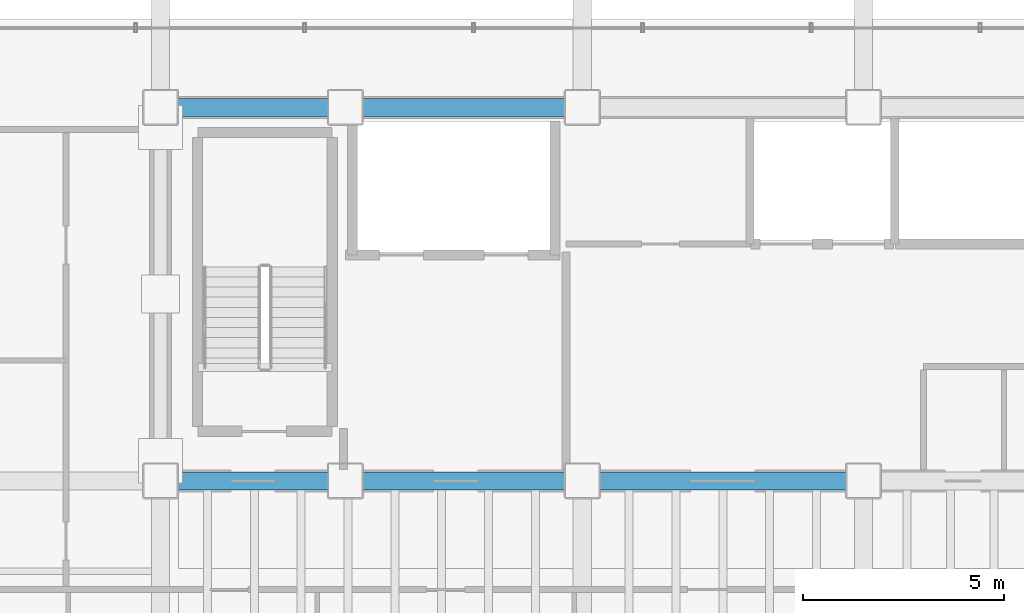
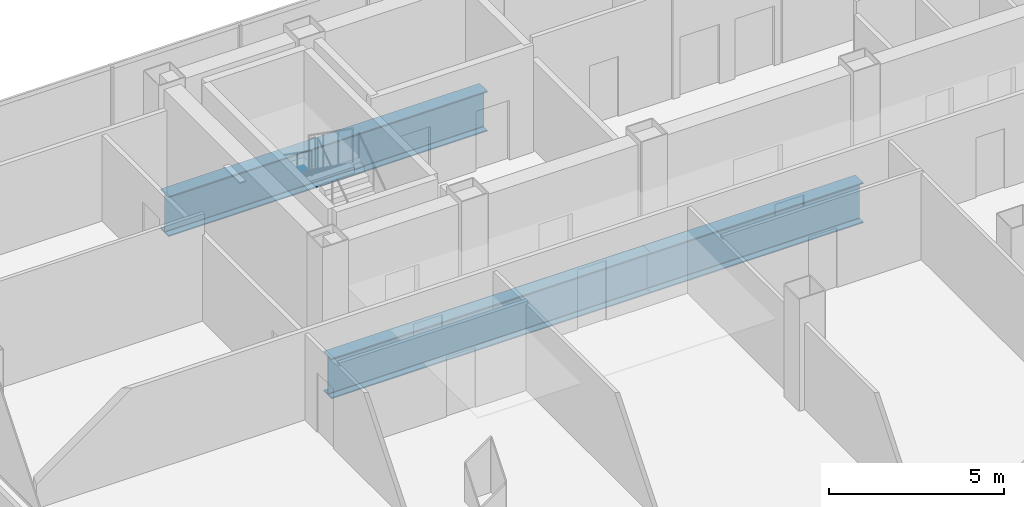
# One storey, part 10 of 24: 3 beams.
"""IFC4 building model written with IfcOpenShell, lengths in metres."""

import ifcopenshell
import ifcopenshell.guid

model = None  # the IFC model being written
_history = None  # IfcOwnerHistory: only IFC2X3 demands one
_inside = {}  # id of a spatial element -> (the spatial element, [elements in it])
_under = {}  # id of a project, library or spatial element -> (it, [spatial elements below it])
_declared = {}  # id of a project -> (the project, [libraries it declares])
_typed = {}  # id of a type object -> (the type object, [elements of that type])
_made_of = {}  # id of a material, layer set ... -> (it, [elements and type objects made of it])


def new_model(schema):
    """Start an empty IFC model of exactly this schema.

    Asked for "IFC4X3", IfcOpenShell would pick the latest addendum, in which some entities
    have other attributes; the version numbers below select the first issue.
    IFC2X3 requires an IfcOwnerHistory on every rooted entity: one is made here for all.
    """
    global model, _history
    if schema == "IFC4X3":
        model = ifcopenshell.file(schema_version=(4, 3, 0, 0))
    else:
        model = ifcopenshell.file(schema=schema)
    _inside.clear()
    _under.clear()
    _declared.clear()
    _typed.clear()
    _made_of.clear()
    _history = None
    if model.schema == "IFC2X3":
        org = make("IfcOrganization", Name="unknown")
        user = make(
            "IfcPersonAndOrganization",
            ThePerson=make("IfcPerson", FamilyName="unknown"),
            TheOrganization=org,
        )
        app = make(
            "IfcApplication",
            ApplicationDeveloper=org,
            Version="unknown",
            ApplicationFullName="unknown",
            ApplicationIdentifier="unknown",
        )
        _history = make(
            "IfcOwnerHistory",
            OwningUser=user,
            OwningApplication=app,
            ChangeAction="ADDED",
            CreationDate=0,
        )
    return model


def make(cls, **values):
    """One entity of the class cls with the attributes given. An attribute that is None is left unset."""
    return model.create_entity(
        cls, **{name: value for name, value in values.items() if value is not None}
    )


def rooted(cls, **values):
    """An entity with a GlobalId (a new one), such as an element, a storey or a relation."""
    return make(cls, GlobalId=ifcopenshell.guid.new(), OwnerHistory=_history, **values)


def si_unit(unit_type, name, prefix=None):
    """IfcSIUnit, for example si_unit("LENGTHUNIT", "METRE", prefix="MILLI")."""
    return make("IfcSIUnit", UnitType=unit_type, Prefix=prefix, Name=name)


def assignment(units):
    """IfcUnitAssignment: the units of a project."""
    return None if units is None else make("IfcUnitAssignment", Units=units)


def point(xyz):
    """IfcCartesianPoint."""
    return None if xyz is None else make("IfcCartesianPoint", Coordinates=xyz)


def direction(xyz):
    """IfcDirection."""
    return None if xyz is None else make("IfcDirection", DirectionRatios=xyz)


def frame(location, z_axis=None, x_axis=None):
    """IfcAxis2Placement3D, a coordinate frame: its origin and axes. An axis left out is left unset."""
    return make(
        "IfcAxis2Placement3D",
        Location=point(location),
        Axis=direction(z_axis),
        RefDirection=direction(x_axis),
    )


def frame_2d(location, x_axis=None):
    """IfcAxis2Placement2D, a coordinate frame in the plane: its origin and x axis."""
    return make(
        "IfcAxis2Placement2D", Location=point(location), RefDirection=direction(x_axis)
    )


def origin():
    """The frame at (0, 0, 0) with its axes left unset."""
    return frame((0.0, 0.0, 0.0))


def origin_2d():
    """The frame at (0, 0) in the plane with its x axis left unset."""
    return frame_2d((0.0, 0.0))


def place(relative_to, where):
    """IfcLocalPlacement: puts the frame where relative to a parent placement (None: the world)."""
    return make(
        "IfcLocalPlacement", PlacementRelTo=relative_to, RelativePlacement=where
    )


def context(
    kind, dimensions, precision=None, world=None, true_north=None, identifier=None
):
    """IfcGeometricRepresentationContext, for example the 3D "Model" context."""
    return make(
        "IfcGeometricRepresentationContext",
        ContextIdentifier=identifier,
        ContextType=kind,
        CoordinateSpaceDimension=dimensions,
        Precision=precision,
        WorldCoordinateSystem=world,
        TrueNorth=true_north,
    )


def subcontext(parent, identifier, kind, view, scale=None):
    """IfcGeometricRepresentationSubContext, for example "Body" below "Model"."""
    return make(
        "IfcGeometricRepresentationSubContext",
        ContextIdentifier=identifier,
        ContextType=kind,
        ParentContext=parent,
        TargetScale=scale,
        TargetView=view,
    )


def project(units=None, contexts=None):
    """IfcProject with its units and contexts."""
    return rooted(
        "IfcProject",
        Name="project",
        RepresentationContexts=contexts,
        UnitsInContext=assignment(units),
    )


def spatial(cls, under=None, at=None, **own):
    """A site, building, storey or space (cls), placed at a placement, below another one or the project."""
    s = rooted(cls, ObjectPlacement=at, **own)
    if under is not None:
        _under.setdefault(under.id(), (under, []))[1].append(s)
    return s


def profile(cls, at=None, kind="AREA", **sizes):
    """A parametric profile (cls). Its sizes go by their IFC names, for example OverallWidth=200.0."""
    return make(cls, ProfileType=kind, Position=at, **sizes)


def i_section(**sizes):
    """IfcIShapeProfileDef."""
    return profile("IfcIShapeProfileDef", **sizes)


def extrude(swept, where, along, depth):
    """IfcExtrudedAreaSolid: the profile swept, set in the frame where, extruded along a direction by depth."""
    return make(
        "IfcExtrudedAreaSolid",
        SweptArea=swept,
        Position=where,
        ExtrudedDirection=direction(along),
        Depth=depth,
    )


def shape(context_of_items, identifier, shape_type, items):
    """IfcShapeRepresentation: the items that make up one representation, for example the "Body"."""
    return make(
        "IfcShapeRepresentation",
        ContextOfItems=context_of_items,
        RepresentationIdentifier=identifier,
        RepresentationType=shape_type,
        Items=items,
    )


def material(Name=None, Category=None):
    """IfcMaterial."""
    return make("IfcMaterial", Name=Name, Category=Category)


def material_profile(
    of_material, cross_section, Name=None, Category=None, Priority=None
):
    """IfcMaterialProfile: a cross section and its material."""
    return make(
        "IfcMaterialProfile",
        Name=Name,
        Material=of_material,
        Profile=cross_section,
        Priority=Priority,
        Category=Category,
    )


def profile_set(profiles, Name=None, composite=None):
    """IfcMaterialProfileSet."""
    return make(
        "IfcMaterialProfileSet",
        Name=Name,
        MaterialProfiles=profiles,
        CompositeProfile=composite,
    )


def made_of(thing, what):
    """Note that an element or type object is made of a material, layer set ...; save() writes the relation."""
    if what is not None:
        _made_of.setdefault(what.id(), (what, []))[1].append(thing)
    return thing


def type_object(cls, material=None, **own):
    """A type object (cls), such as IfcWallType, which elements share."""
    return made_of(rooted(cls, **own), material)


def element(
    cls,
    number,
    at=None,
    inside=None,
    cuts=None,
    type_object=None,
    material=None,
    context=None,
    identifier="Body",
    shape_type=None,
    held_by="IfcProductDefinitionShape",
    body=None,
    shapes=None,
    **own,
):
    """One element of the class cls, such as IfcWall. Its Tag is "e" and its number.

    at: its placement. inside: the storey or other place that contains it. cuts: it is an
    opening in that element (IfcRelVoidsElement). A single representation is given by context,
    identifier, shape_type and body (its items); several are given by shapes. held_by: the class
    of the entity that holds the representations. save() writes the other relations.
    """
    e = rooted(cls, Tag="e%d" % number, ObjectPlacement=at, **own)
    if body is not None:
        shapes = [shape(context, identifier, shape_type, body)]
    if shapes is not None:
        e.Representation = make(held_by, Representations=shapes)
    if inside is not None:
        _inside.setdefault(inside.id(), (inside, []))[1].append(e)
    if cuts is not None:
        rooted(
            "IfcRelVoidsElement", RelatingBuildingElement=cuts, RelatedOpeningElement=e
        )
    if type_object is not None:
        _typed.setdefault(type_object.id(), (type_object, []))[1].append(e)
    return made_of(e, material)


def aggregate(whole, parts):
    """IfcRelAggregates: a whole, such as a stair, and the parts it consists of."""
    return rooted("IfcRelAggregates", RelatingObject=whole, RelatedObjects=parts)


def save(model, path):
    """Write the relations noted so far, then the file.

    IfcRelAggregates (storeys below a building ...), IfcRelContainedInSpatialStructure (elements
    in a storey), IfcRelDefinesByType, IfcRelAssociatesMaterial and IfcRelDeclares: one each for
    every whole, place, type object, material and project.
    """
    for whole, parts in _under.values():
        aggregate(whole, parts)
    for where, things in _inside.values():
        rooted(
            "IfcRelContainedInSpatialStructure",
            RelatedElements=things,
            RelatingStructure=where,
        )
    for kind, things in _typed.values():
        rooted("IfcRelDefinesByType", RelatedObjects=things, RelatingType=kind)
    for what, things in _made_of.values():
        rooted("IfcRelAssociatesMaterial", RelatedObjects=things, RelatingMaterial=what)
    for by, libraries in _declared.values():
        rooted("IfcRelDeclares", RelatingContext=by, RelatedDefinitions=libraries)
    model.write(path)


model = new_model("IFC4")

# Units and contexts
model_context = context("Model", 3, precision=1e-05, world=origin(), true_north=direction((0.0, 1.0)))
body_context = subcontext(model_context, "Body", "Model", "MODEL_VIEW")
ifc_project = project(units=[si_unit("LENGTHUNIT", "METRE"), si_unit("AREAUNIT", "SQUARE_METRE"), si_unit("VOLUMEUNIT", "CUBIC_METRE"), si_unit("PLANEANGLEUNIT", "RADIAN"), si_unit("MASSUNIT", "GRAM", prefix="KILO")], contexts=[model_context])

# Site, building, storey
site_placement = place(None, origin())
site = spatial("IfcSite", under=ifc_project, at=site_placement, CompositionType="ELEMENT")
building_placement = place(site_placement, origin())
building = spatial("IfcBuilding", under=site, at=building_placement, Name="Noeulbin Bourse Tower", CompositionType="ELEMENT")
storey_placement = place(building_placement, frame((0.0, 0.0, 114.89990234375)))
storey = spatial("IfcBuildingStorey", under=building, at=storey_placement, Name="L28", CompositionType="ELEMENT", Elevation=114.89990234375)

# Beams
ifc_material = material(Name="Steel S460", Category="steel")
ifc_material_profile = material_profile(ifc_material, i_section(OverallWidth=0.449951171875, OverallDepth=1.39990234375, WebThickness=0.02392578125, FlangeThickness=0.0400390625, FilletRadius=0.02392578125, at=origin_2d()), Name="PG-1400x450x24x40", Category="LoadBearing")
ifc_profile_set = profile_set([ifc_material_profile], Name="Steel S460")
beam_type = type_object("IfcBeamType", Name="BM-TRF-1400", PredefinedType="USERDEFINED", material=ifc_profile_set)
beam_1_placement = place(storey_placement, frame((13.5, 29.0, -0.93994140625), z_axis=(1.0, 0.0, 0.0), x_axis=(0.0, 1.0, 0.0)))
element("IfcBeam", 1, at=beam_1_placement, inside=storey, type_object=beam_type, Name="Tower Primary Girder EW L28-2.4", ObjectType="GIRDER", PredefinedType="USERDEFINED", context=body_context, shape_type="SweptSolid", body=[
    extrude(i_section(OverallWidth=0.449951171875, OverallDepth=1.39990234375, WebThickness=0.02392578125, FlangeThickness=0.0400390625, FilletRadius=0.02392578125, at=origin_2d()), origin(), (0.0, 0.0, 1.0), 10.5),
])
beam_2_placement = place(storey_placement, frame((24.0, 29.0, -0.93994140625), z_axis=(1.0, 0.0, 0.0), x_axis=(0.0, 1.0, 0.0)))
element("IfcBeam", 2, at=beam_2_placement, inside=storey, type_object=beam_type, Name="Tower Primary Girder EW L28-2.5", ObjectType="GIRDER", PredefinedType="USERDEFINED", context=body_context, shape_type="SweptSolid", body=[
    extrude(i_section(OverallWidth=0.449951171875, OverallDepth=1.39990234375, WebThickness=0.02392578125, FlangeThickness=0.0400390625, FilletRadius=0.02392578125, at=origin_2d()), origin(), (0.0, 0.0, 1.0), 7.0),
])
beam_3_placement = place(storey_placement, frame((13.5, 38.300048828125, -0.93994140625), z_axis=(1.0, 0.0, 0.0), x_axis=(0.0, 1.0, 0.0)))
element("IfcBeam", 3, at=beam_3_placement, inside=storey, type_object=beam_type, Name="Tower Primary Girder EW L28-3.1", ObjectType="GIRDER", PredefinedType="USERDEFINED", context=body_context, shape_type="SweptSolid", body=[
    extrude(i_section(OverallWidth=0.449951171875, OverallDepth=1.39990234375, WebThickness=0.02392578125, FlangeThickness=0.0400390625, FilletRadius=0.02392578125, at=origin_2d()), origin(), (0.0, 0.0, 1.0), 10.5),
])

save(model, "model.ifc")
